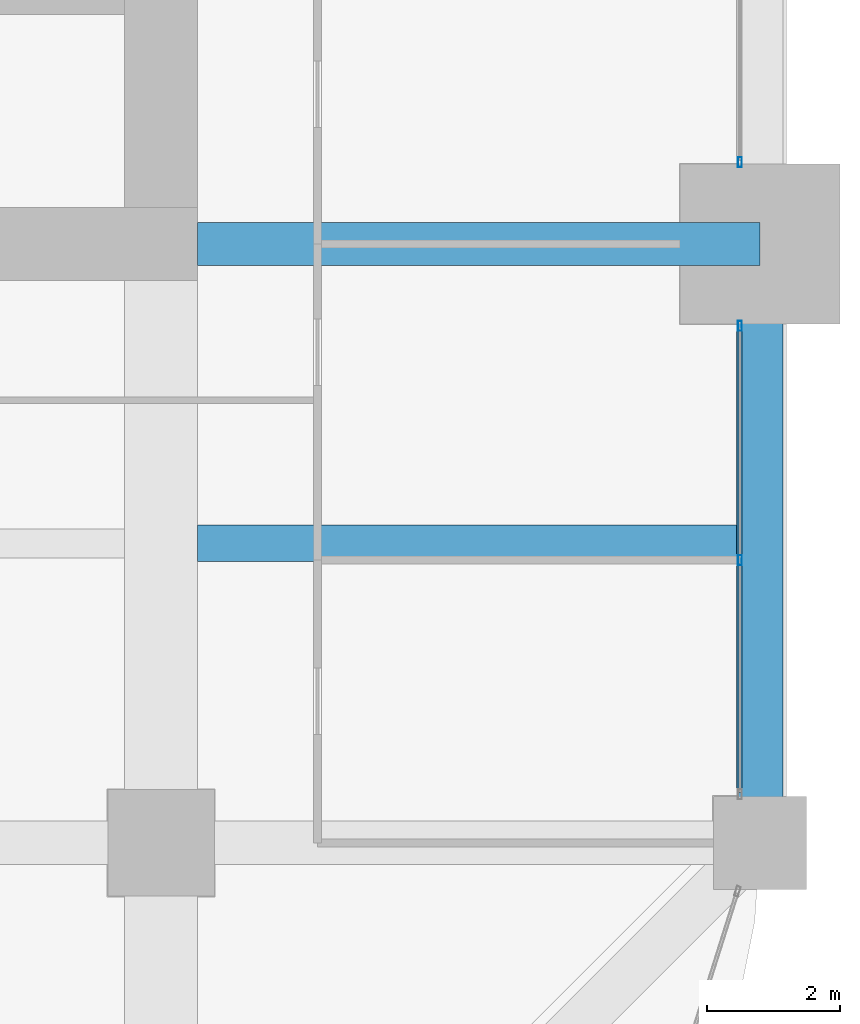
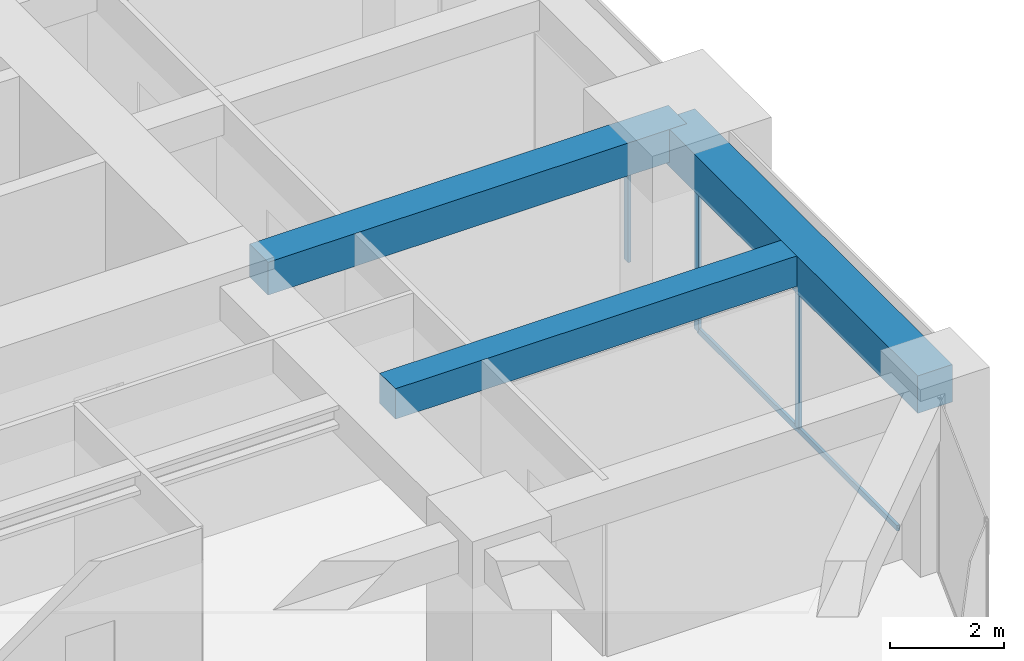
# One storey, part 17 of 32: 4 members, 3 beams, 2 elements without a shape of their own.
"""IFC4 building model written with IfcOpenShell, lengths in metres."""

from ifc_helpers import new_model, si_unit, direction, frame, origin, origin_2d, place, context, subcontext, project, spatial, rectangle, hollow_rectangle, extrude, material, material_profile, profile_set, type_object, element, aggregate, save


model = new_model("IFC4")

# Units and contexts
model_context = context("Model", 3, precision=1e-05, world=origin(), true_north=direction((0.0, 1.0)))
body_context = subcontext(model_context, "Body", "Model", "MODEL_VIEW")
ifc_project = project(units=[si_unit("LENGTHUNIT", "METRE"), si_unit("AREAUNIT", "SQUARE_METRE"), si_unit("VOLUMEUNIT", "CUBIC_METRE"), si_unit("PLANEANGLEUNIT", "RADIAN"), si_unit("MASSUNIT", "GRAM", prefix="KILO")], contexts=[model_context])

# Site, building, storey
site_placement = place(None, origin())
site = spatial("IfcSite", under=ifc_project, at=site_placement, CompositionType="ELEMENT")
building_placement = place(site_placement, origin())
building = spatial("IfcBuilding", under=site, at=building_placement, Name="Zorevar Civic Tower", CompositionType="ELEMENT")
storey_placement = place(building_placement, frame((0.0, 0.0, 186.199951171875)))
storey = spatial("IfcBuildingStorey", under=building, at=storey_placement, Name="L45", CompositionType="ELEMENT", Elevation=186.199951171875)

# Beams
ifc_material_1 = material(Name="Concrete C50/60", Category="concrete")
ifc_material_profile_1 = material_profile(ifc_material_1, rectangle(XDim=0.550048828125, YDim=0.64990234375, at=origin_2d()), Name="RC 550x650")
ifc_profile_set_1 = profile_set([ifc_material_profile_1], Name="Concrete C50/60")
beam_type_1 = type_object("IfcBeamType", Name="Beam RC 550x650", PredefinedType="BEAM", material=ifc_profile_set_1)
beam_1_placement = place(storey_placement, frame((45.550048828125, 13.5, 3.425048828125), z_axis=(1.0, 0.0, 0.0), x_axis=(0.0, 1.0, 0.0)))
element("IfcBeam", 1, at=beam_1_placement, inside=storey, type_object=beam_type_1, Name="Secondary beam L46", PredefinedType="BEAM", context=body_context, shape_type="SweptSolid", body=[
    extrude(rectangle(XDim=0.550048828125, YDim=0.64990234375, at=origin_2d()), origin(), (0.0, 0.0, 1.0), 8.099853515625),
])
ifc_material_2 = material(Name="Concrete C50/60", Category="concrete")
ifc_material_profile_2 = material_profile(ifc_material_2, rectangle(XDim=0.64990234375, YDim=0.699951171875, at=origin_2d()), Name="RC 650x700")
ifc_profile_set_2 = profile_set([ifc_material_profile_2], Name="Concrete C50/60")
beam_type_2 = type_object("IfcBeamType", Name="Beam RC 650x700", PredefinedType="BEAM", material=ifc_profile_set_2)
beam_2_placement = place(storey_placement, frame((45.550048828125, 18.0, 3.400146484375), z_axis=(1.0, 0.0, 0.0), x_axis=(0.0, 1.0, 0.0)))
element("IfcBeam", 2, at=beam_2_placement, inside=storey, type_object=beam_type_2, Name="Girder L46", PredefinedType="BEAM", context=body_context, shape_type="SweptSolid", body=[
    extrude(rectangle(XDim=0.64990234375, YDim=0.699951171875, at=origin_2d()), origin(), (0.0, 0.0, 1.0), 8.449951171875),
])

# Curtain wall, members
ifc_material_3 = material(Name="Dark grey solar-control glass in black aluminium frame", Category="aluminium")
curtain_wall_type = type_object("IfcCurtainWallType", Name="Curtain wall CW4 high zone", PredefinedType="NOTDEFINED", material=ifc_material_3)
curtain_wall_1_placement = place(storey_placement, origin())
curtain_wall_1 = element("IfcCurtainWall", 3, at=curtain_wall_1_placement, inside=storey, type_object=curtain_wall_type, Name="CW4 L45", PredefinedType="NOTDEFINED")
ifc_material_4 = material(Name="Aluminium, black anodised", Category="aluminium")
ifc_material_profile_3 = material_profile(ifc_material_4, hollow_rectangle(XDim=0.06005859375, YDim=0.14990234375, WallThickness=0.00390625, at=origin_2d()), Name="AL 150x60x4")
ifc_profile_set_3 = profile_set([ifc_material_profile_3], Name="Aluminium, black anodised")
member_type_1 = type_object("IfcMemberType", Name="CW4 mullion AL 150x60x4", PredefinedType="MULLION", material=ifc_profile_set_3)
member_1_placement = place(storey_placement, frame((53.699951171875, 13.25, 0.06005859375), z_axis=(0.0, 0.0, 1.0), x_axis=(-1.0, 0.0, 0.0)))
member_1 = element("IfcMember", 4, at=member_1_placement, type_object=member_type_1, Name="CW4 mullion 2", PredefinedType="MULLION", context=body_context, shape_type="SweptSolid", body=[
    extrude(hollow_rectangle(XDim=0.06005859375, YDim=0.14990234375, WallThickness=0.00390625, at=origin_2d()), origin(), (0.0, 0.0, 1.0), 2.889892578125),
])
member_2_placement = place(storey_placement, frame((53.699951171875, 16.77001953125, 0.0), z_axis=(0.0, 0.0, 1.0), x_axis=(-1.0, 0.0, 0.0)))
member_2 = element("IfcMember", 5, at=member_2_placement, type_object=member_type_1, Name="CW4 mullion 3", PredefinedType="MULLION", context=body_context, shape_type="SweptSolid", body=[
    extrude(hollow_rectangle(XDim=0.06005859375, YDim=0.14990234375, WallThickness=0.00390625, at=origin_2d()), origin(), (0.0, 0.0, 1.0), 2.949951171875),
])

# Curtain wall, member
curtain_wall_2_placement = place(storey_placement, origin())
curtain_wall_2 = element("IfcCurtainWall", 6, at=curtain_wall_2_placement, inside=storey, type_object=curtain_wall_type, Name="CW4 L45", PredefinedType="NOTDEFINED")
member_3_placement = place(storey_placement, frame((53.699951171875, 19.22998046875, 0.0), z_axis=(0.0, 0.0, 1.0), x_axis=(-1.0, 0.0, 0.0)))
member_3 = element("IfcMember", 7, at=member_3_placement, type_object=member_type_1, Name="CW4 mullion 1", PredefinedType="MULLION", context=body_context, shape_type="SweptSolid", body=[
    extrude(hollow_rectangle(XDim=0.06005859375, YDim=0.14990234375, WallThickness=0.00390625, at=origin_2d()), origin(), (0.0, 0.0, 1.0), 2.949951171875),
])
aggregate(curtain_wall_2, [member_3])

# Member
ifc_material_5 = material(Name="Aluminium, black anodised", Category="aluminium")
ifc_material_profile_4 = material_profile(ifc_material_5, hollow_rectangle(XDim=0.06005859375, YDim=0.1201171875, WallThickness=0.0029296875, at=origin_2d()), Name="AL 120x60x3")
ifc_profile_set_4 = profile_set([ifc_material_profile_4], Name="Aluminium, black anodised")
member_type_2 = type_object("IfcMemberType", Name="CW4 transom AL 120x60x3", PredefinedType="USERDEFINED", material=ifc_profile_set_4)
member_4_placement = place(storey_placement, frame((53.699951171875, 9.760009765625, 0.030029296875), z_axis=(0.0, 1.0, 0.0), x_axis=(-1.0, 0.0, 0.0)))
member_4 = element("IfcMember", 8, at=member_4_placement, type_object=member_type_2, Name="CW4 sill transom", ObjectType="TRANSOM", PredefinedType="USERDEFINED", context=body_context, shape_type="SweptSolid", body=[
    extrude(hollow_rectangle(XDim=0.06005859375, YDim=0.1201171875, WallThickness=0.0029296875, at=origin_2d()), origin(), (0.0, 0.0, 1.0), 6.97998046875),
])

aggregate(curtain_wall_1, [member_1, member_2, member_4])

# Beam
ifc_material_6 = material(Name="Concrete C50/60", Category="concrete")
ifc_material_profile_5 = material_profile(ifc_material_6, rectangle(XDim=0.699951171875, YDim=0.800048828125, at=origin_2d()), Name="RC 700x800")
ifc_profile_set_5 = profile_set([ifc_material_profile_5], Name="Concrete C50/60")
beam_type_3 = type_object("IfcBeamType", Name="Edge beam RC 700x800", PredefinedType="SPANDREL", material=ifc_profile_set_5)
beam_3_placement = place(storey_placement, frame((54.0, 9.0, 3.35009765625), z_axis=(0.0, 1.0, 0.0), x_axis=(-1.0, 0.0, 0.0)))
element("IfcBeam", 9, at=beam_3_placement, inside=storey, type_object=beam_type_3, Name="Edge beam L46", PredefinedType="SPANDREL", context=body_context, shape_type="SweptSolid", body=[
    extrude(rectangle(XDim=0.699951171875, YDim=0.800048828125, at=origin_2d()), origin(), (0.0, 0.0, 1.0), 9.0),
])

save(model, "model.ifc")
